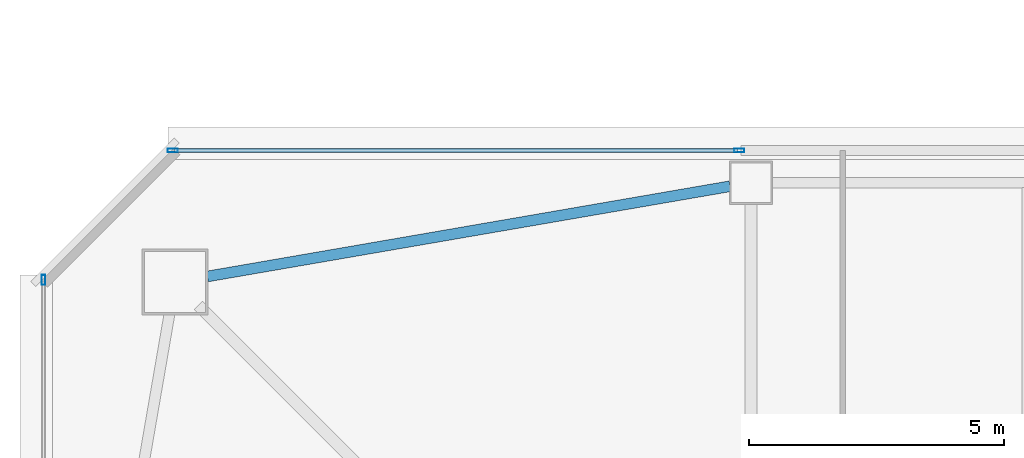
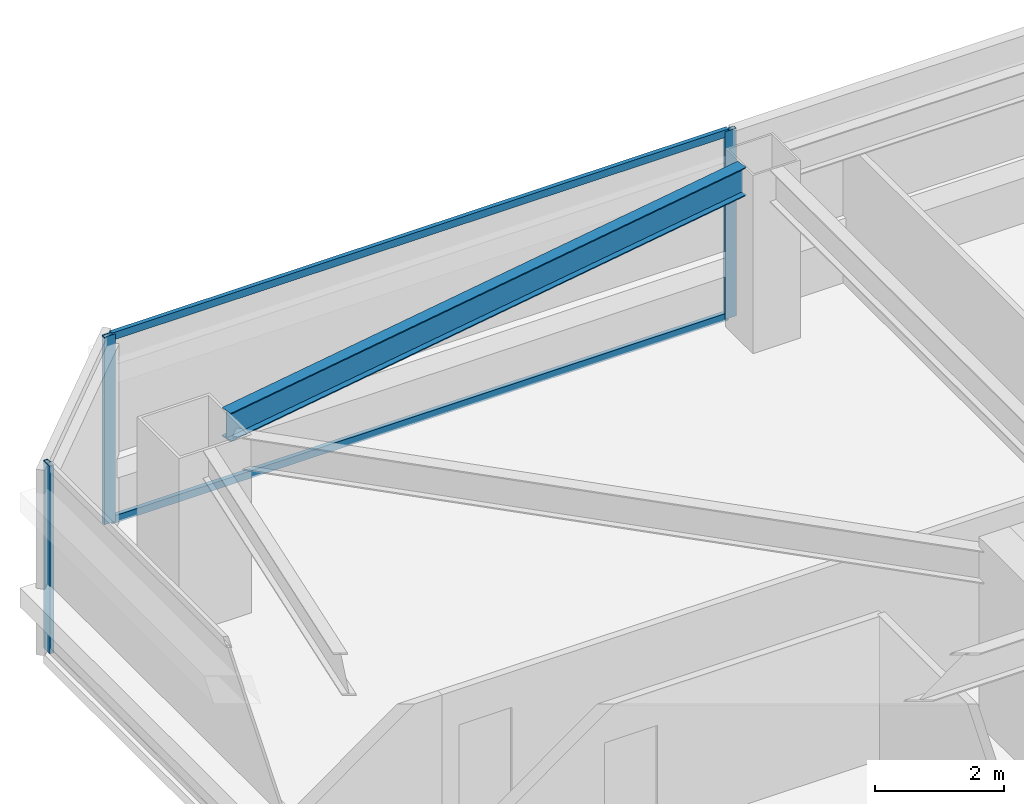
# One storey, part 12 of 41: 5 members, 1 beam, 2 elements without a shape of their own.
"""IFC4 building model written with IfcOpenShell, lengths in metres."""

from ifc_helpers import new_model, si_unit, direction, frame, origin, origin_2d, place, context, subcontext, project, spatial, hollow_rectangle, i_section, extrude, material, material_profile, profile_set, type_object, element, aggregate, save


model = new_model("IFC4")

# Units and contexts
model_context = context("Model", 3, precision=1e-05, world=origin(), true_north=direction((0.0, 1.0)))
body_context = subcontext(model_context, "Body", "Model", "MODEL_VIEW")
ifc_project = project(units=[si_unit("LENGTHUNIT", "METRE"), si_unit("AREAUNIT", "SQUARE_METRE"), si_unit("VOLUMEUNIT", "CUBIC_METRE"), si_unit("PLANEANGLEUNIT", "RADIAN"), si_unit("MASSUNIT", "GRAM", prefix="KILO")], contexts=[model_context])

# Site, building, storey
site_placement = place(None, origin())
site = spatial("IfcSite", under=ifc_project, at=site_placement, CompositionType="ELEMENT")
building_placement = place(site_placement, origin())
building = spatial("IfcBuilding", under=site, at=building_placement, Name="Tashvorn Skyway Center", CompositionType="ELEMENT")
storey_placement = place(building_placement, frame((0.0, 0.0, 117.949951171875)))
storey = spatial("IfcBuildingStorey", under=building, at=storey_placement, Name="L31", CompositionType="ELEMENT", Elevation=117.949951171875)

# Beam
ifc_material_1 = material(Name="Steel ASTM A992 Grade 50", Category="steel")
ifc_material_profile_1 = material_profile(ifc_material_1, i_section(OverallWidth=0.2109375, OverallDepth=0.5390625, WebThickness=0.01171875, FlangeThickness=0.018798828125, at=origin_2d()), Name="W21X73")
ifc_profile_set_1 = profile_set([ifc_material_profile_1], Name="Steel ASTM A992 Grade 50")
beam_type = type_object("IfcBeamType", Name="BM-SPANDREL-W21X73", PredefinedType="SPANDREL", material=ifc_profile_set_1)
beam_placement = place(storey_placement, frame((36.18603515625, 50.57861328125, 3.1005859375), z_axis=(-0.985432458462, -0.170067250846, 0.0), x_axis=(0.170067250846, -0.985432458462, 0.0)))
element("IfcBeam", 1, at=beam_placement, inside=storey, type_object=beam_type, Name="Tower 1 L31 Spandrel Beam 09", PredefinedType="SPANDREL", context=body_context, shape_type="SweptSolid", body=[
    extrude(i_section(OverallWidth=0.2109375, OverallDepth=0.5390625, WebThickness=0.01171875, FlangeThickness=0.018798828125, at=origin_2d()), origin(), (0.0, 0.0, 1.0), 10.402099609375),
])

# Curtain wall, member
ifc_material_2 = material(Name="Thermally broken bronze-anodized aluminium 6063-T6", Category="aluminium")
curtain_wall_type = type_object("IfcCurtainWallType", Name="CW-CW-Z3", PredefinedType="NOTDEFINED", material=ifc_material_2)
curtain_wall_1_placement = place(storey_placement, origin())
curtain_wall_1 = element("IfcCurtainWall", 2, at=curtain_wall_1_placement, inside=storey, type_object=curtain_wall_type, Name="Tower 1 L31 West Unitised Curtain Wall Glazing Group 2", PredefinedType="NOTDEFINED")
ifc_material_profile_2 = material_profile(ifc_material_2, hollow_rectangle(XDim=0.074951171875, YDim=0.199951171875, WallThickness=0.00439453125, at=origin_2d()), Name="ALU-MULL-75x200")
ifc_profile_set_2 = profile_set([ifc_material_profile_2], Name="Thermally broken bronze-anodized aluminium 6063-T6")
member_type_1 = type_object("IfcMemberType", Name="CWM-CW-Z3", PredefinedType="MULLION", material=ifc_profile_set_2)
member_1_placement = place(storey_placement, frame((22.719970703125, 48.742431640625, 0.0), z_axis=(0.0, 0.0, 1.0), x_axis=(-1.0, 0.0, 0.0)))
member_1 = element("IfcMember", 3, at=member_1_placement, type_object=member_type_1, Name="CW-Z3 mullion 2", PredefinedType="MULLION", context=body_context, shape_type="SweptSolid", body=[
    extrude(hollow_rectangle(XDim=0.074951171875, YDim=0.199951171875, WallThickness=0.00439453125, at=origin_2d()), origin(), (0.0, 0.0, 1.0), 3.550048828125),
])
aggregate(curtain_wall_1, [member_1])

# Curtain wall, members
curtain_wall_2_placement = place(storey_placement, origin())
curtain_wall_2 = element("IfcCurtainWall", 4, at=curtain_wall_2_placement, inside=storey, type_object=curtain_wall_type, Name="Tower 1 L31 North Unitised Curtain Wall Glazing Group 1", PredefinedType="NOTDEFINED")
member_2_placement = place(storey_placement, frame((25.257568359375, 51.280029296875, 0.0), z_axis=(0.0, 0.0, 1.0), x_axis=(0.0, 1.0, 0.0)))
member_2 = element("IfcMember", 5, at=member_2_placement, type_object=member_type_1, Name="CW-Z3 mullion 1", PredefinedType="MULLION", context=body_context, shape_type="SweptSolid", body=[
    extrude(hollow_rectangle(XDim=0.074951171875, YDim=0.199951171875, WallThickness=0.00439453125, at=origin_2d()), origin(), (0.0, 0.0, 1.0), 3.550048828125),
])
member_3_placement = place(storey_placement, frame((36.369140625, 51.280029296875, 0.0), z_axis=(0.0, 0.0, 1.0), x_axis=(0.0, 1.0, 0.0)))
member_3 = element("IfcMember", 6, at=member_3_placement, type_object=member_type_1, Name="CW-Z3 mullion 2", PredefinedType="MULLION", context=body_context, shape_type="SweptSolid", body=[
    extrude(hollow_rectangle(XDim=0.074951171875, YDim=0.199951171875, WallThickness=0.00439453125, at=origin_2d()), origin(), (0.0, 0.0, 1.0), 3.550048828125),
])
ifc_material_profile_3 = material_profile(ifc_material_2, hollow_rectangle(XDim=0.074951171875, YDim=0.139892578125, WallThickness=0.004150390625, at=origin_2d()), Name="ALU-TRAN-75x140")
ifc_profile_set_3 = profile_set([ifc_material_profile_3], Name="Thermally broken bronze-anodized aluminium 6063-T6")
member_type_2 = type_object("IfcMemberType", Name="CWT-CW-Z3", PredefinedType="USERDEFINED", material=ifc_profile_set_3)
member_4_placement = place(storey_placement, frame((25.294921875, 51.280029296875, 0.03759765625), z_axis=(1.0, 0.0, 0.0), x_axis=(0.0, 1.0, 0.0)))
member_4 = element("IfcMember", 7, at=member_4_placement, type_object=member_type_2, Name="CW-Z3 transom 1.1", ObjectType="TRANSOM", PredefinedType="USERDEFINED", context=body_context, shape_type="SweptSolid", body=[
    extrude(hollow_rectangle(XDim=0.074951171875, YDim=0.139892578125, WallThickness=0.004150390625, at=origin_2d()), origin(), (0.0, 0.0, 1.0), 11.036865234375),
])
member_5_placement = place(storey_placement, frame((25.294921875, 51.280029296875, 3.512451171875), z_axis=(1.0, 0.0, 0.0), x_axis=(0.0, 1.0, 0.0)))
member_5 = element("IfcMember", 8, at=member_5_placement, type_object=member_type_2, Name="CW-Z3 transom 1.2", ObjectType="TRANSOM", PredefinedType="USERDEFINED", context=body_context, shape_type="SweptSolid", body=[
    extrude(hollow_rectangle(XDim=0.074951171875, YDim=0.139892578125, WallThickness=0.004150390625, at=origin_2d()), origin(), (0.0, 0.0, 1.0), 11.036865234375),
])
aggregate(curtain_wall_2, [member_2, member_3, member_4, member_5])

save(model, "model.ifc")
